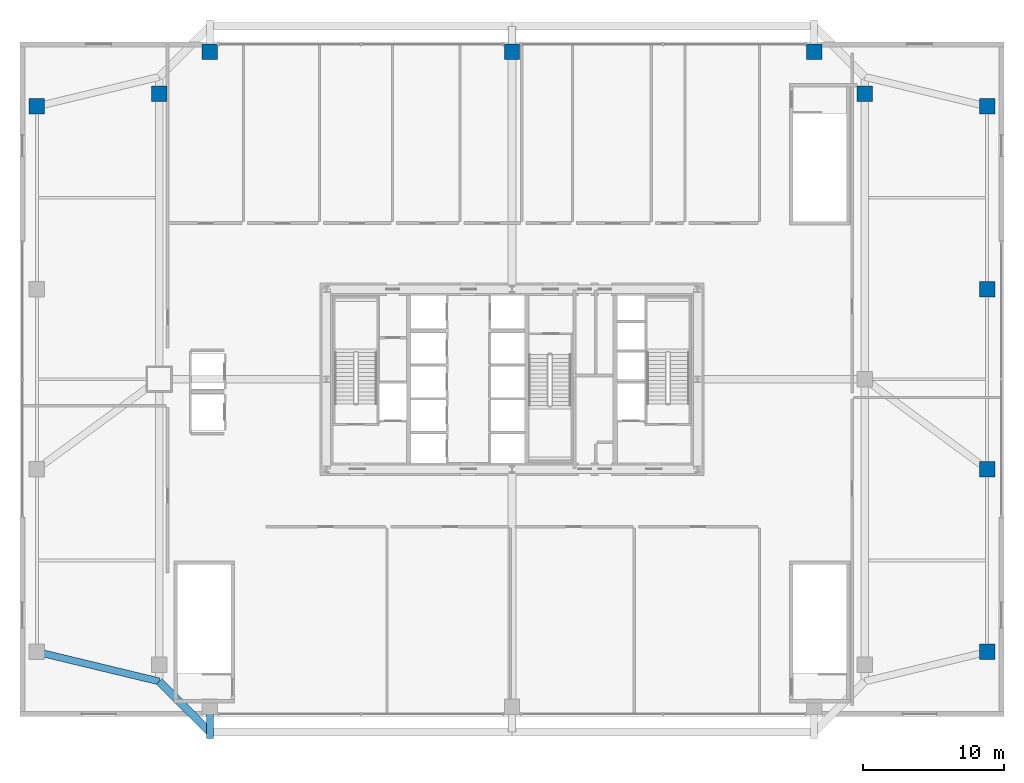
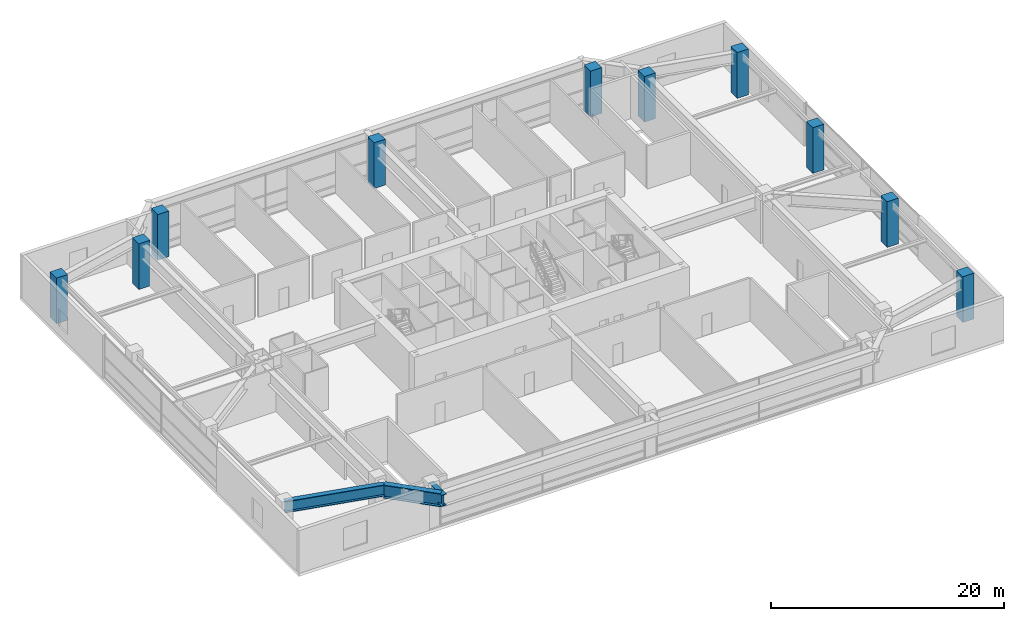
# One storey, part 3 of 34: 10 columns, 3 beams.
"""IFC4 building model written with IfcOpenShell, lengths in metres."""

from ifc_helpers import new_model, si_unit, direction, frame, origin, origin_2d, place, context, subcontext, project, spatial, rectangle, i_section, extrude, source, transform, mapped, material, material_profile, profile_set, type_object, element, save


model = new_model("IFC4")

# Units and contexts
model_context = context("Model", 3, precision=1e-05, world=origin(), true_north=direction((0.0, 1.0)))
body_context = subcontext(model_context, "Body", "Model", "MODEL_VIEW")
ifc_project = project(units=[si_unit("LENGTHUNIT", "METRE"), si_unit("AREAUNIT", "SQUARE_METRE"), si_unit("VOLUMEUNIT", "CUBIC_METRE"), si_unit("PLANEANGLEUNIT", "RADIAN"), si_unit("MASSUNIT", "GRAM", prefix="KILO"), si_unit("THERMODYNAMICTEMPERATUREUNIT", "KELVIN"), si_unit("POWERUNIT", "WATT")], contexts=[model_context])

# Site, building, storey
site_placement = place(None, origin())
site = spatial("IfcSite", under=ifc_project, at=site_placement, CompositionType="ELEMENT")
building_placement = place(site_placement, origin())
building = spatial("IfcBuilding", under=site, at=building_placement, Name="Yuzanri Waterfront Tower", CompositionType="ELEMENT")
storey_placement = place(building_placement, frame((0.0, 0.0, 25.800048828125)))
storey = spatial("IfcBuildingStorey", under=building, at=storey_placement, Name="L06", CompositionType="ELEMENT", Elevation=25.800048828125)

# Columns
ifc_material_1 = material(Name="Concrete C50", Category="concrete")
ifc_material_profile_1 = material_profile(ifc_material_1, rectangle(XDim=1.10009765625, YDim=1.10009765625, at=origin_2d()), Name="RC 1100x1100")
ifc_profile_set_1 = profile_set([ifc_material_profile_1], Name="Concrete C50")
column_type = type_object("IfcColumnType", Name="Podium RC Column C50 1100x1100", PredefinedType="COLUMN", material=ifc_profile_set_1)
shared_shape_1 = source(origin(), body_context, "Body", "SweptSolid", [
    extrude(rectangle(XDim=1.10009765625, YDim=1.10009765625, at=origin_2d()), origin(), (0.0, 0.0, 1.0), 4.800048828125),
])
for number, where, z_axis, x_axis, name in (
    (1, (3.199951171875, 45.199951171875, 0.0), (0.0, 0.0, 1.0), (1.0, 0.0, 0.0), "L06 Podium Column PW4"),
    (2, (70.800048828125, 6.39990234375, 0.0), (0.0, 0.0, 1.0), (1.0, 0.0, 0.0), "L06 Podium Column PE1"),
    (3, (70.800048828125, 19.39990234375, 0.0), (0.0, 0.0, 1.0), (1.0, 0.0, 0.0), "L06 Podium Column PE2"),
    (4, (70.800048828125, 32.199951171875, 0.0), (0.0, 0.0, 1.0), (1.0, 0.0, 0.0), "L06 Podium Column PE3"),
    (5, (70.800048828125, 45.199951171875, 0.0), (0.0, 0.0, 1.0), (1.0, 0.0, 0.0), "L06 Podium Column PE4"),
    (6, (11.89990234375, 46.10009765625, 0.0), (0.0, 0.0, 1.0), (1.0, 0.0, 0.0), "L06 Podium Column PTW3"),
    (7, (62.10009765625, 46.10009765625, 0.0), (0.0, 0.0, 1.0), (1.0, 0.0, 0.0), "L06 Podium Column PTE3"),
    (8, (15.5, 49.10009765625, 0.0), (0.0, 0.0, 1.0), (1.0, 0.0, 0.0), "L06 Podium Column PTN1"),
    (9, (37.0, 49.10009765625, 0.0), (0.0, 0.0, 1.0), (1.0, 0.0, 0.0), "L06 Podium Column PTN2"),
    (10, (58.5, 49.10009765625, 0.0), (0.0, 0.0, 1.0), (1.0, 0.0, 0.0), "L06 Podium Column PTN3"),
):
    element("IfcColumn", number, at=place(storey_placement, frame(where, z_axis=z_axis, x_axis=x_axis)), inside=storey, type_object=column_type, Name=name, PredefinedType="COLUMN", context=body_context, shape_type="MappedRepresentation", body=[
        mapped(shared_shape_1, transform((0.0, 0.0, 0.0), scale=1.0)),
    ])

# Beams
ifc_material_2 = material(Name="Steel Q420GJC", Category="steel")
ifc_material_profile_2 = material_profile(ifc_material_2, i_section(OverallWidth=0.550048828125, OverallDepth=1.39990234375, WebThickness=0.030029296875, FlangeThickness=0.054931640625, at=origin_2d()), Name="PG 1400x550x30x55")
ifc_profile_set_2 = profile_set([ifc_material_profile_2], Name="Steel Q420GJC")
beam_type_1 = type_object("IfcBeamType", Name="Tower Base Transfer Girder Q420GJC PG 1400x550", PredefinedType="USERDEFINED", material=ifc_profile_set_2)
shared_shape_2 = source(origin(), body_context, "Body", "SweptSolid", [
    extrude(i_section(OverallWidth=0.550048828125, OverallDepth=1.39990234375, WebThickness=0.030029296875, FlangeThickness=0.054931640625, at=origin_2d()), origin(), (0.0, 0.0, 1.0), 5.09130859375),
])
beam_1_placement = place(storey_placement, frame((11.89990234375, 4.300048828125, 3.800048828125), z_axis=(0.707106781187, -0.707106781187, 0.0), x_axis=(0.707106781187, 0.707106781187, 0.0)))
element("IfcBeam", 11, at=beam_1_placement, inside=storey, type_object=beam_type_1, Name="L06 Tower Base Ring W1-S1", ObjectType="GIRDER", PredefinedType="USERDEFINED", context=body_context, shape_type="MappedRepresentation", body=[
    mapped(shared_shape_2, transform((0.0, 0.0, 0.0), scale=1.0)),
])
ifc_material_3 = material(Name="Steel Q420GJC", Category="steel")
ifc_material_profile_3 = material_profile(ifc_material_3, i_section(OverallWidth=0.5, OverallDepth=1.199951171875, WebThickness=0.028076171875, FlangeThickness=0.050048828125, at=origin_2d()), Name="PG 1200x500x28x50")
ifc_profile_set_3 = profile_set([ifc_material_profile_3], Name="Steel Q420GJC")
beam_type_2 = type_object("IfcBeamType", Name="Setback Transfer Girder Q420GJC PG 1200x500", PredefinedType="USERDEFINED", material=ifc_profile_set_3)
shared_shape_3 = source(origin(), body_context, "Body", "SweptSolid", [
    extrude(i_section(OverallWidth=0.5, OverallDepth=1.199951171875, WebThickness=0.028076171875, FlangeThickness=0.050048828125, at=origin_2d()), origin(), (0.0, 0.0, 1.0), 2.25),
])
beam_2_placement = place(storey_placement, frame((15.5, 0.25, 3.89990234375), z_axis=(0.0, 1.0, 0.0), x_axis=(-1.0, 0.0, 0.0)))
element("IfcBeam", 12, at=beam_2_placement, inside=storey, type_object=beam_type_2, Name="L06 Tower Base Tie S1", ObjectType="GIRDER", PredefinedType="USERDEFINED", context=body_context, shape_type="MappedRepresentation", body=[
    mapped(shared_shape_3, transform((0.0, 0.0, 0.0), scale=1.0)),
])
shared_shape_4 = source(origin(), body_context, "Body", "SweptSolid", [
    extrude(i_section(OverallWidth=0.5, OverallDepth=1.199951171875, WebThickness=0.028076171875, FlangeThickness=0.050048828125, at=origin_2d()), origin(), (0.0, 0.0, 1.0), 8.94970703125),
])
beam_3_placement = place(storey_placement, frame((11.89990234375, 4.300048828125, 3.89990234375), z_axis=(-0.972085641327, 0.23462631124, 0.0), x_axis=(-0.23462631124, -0.972085641327, 0.0)))
element("IfcBeam", 13, at=beam_3_placement, inside=storey, type_object=beam_type_2, Name="L06 Tower Base Tie W1", ObjectType="GIRDER", PredefinedType="USERDEFINED", context=body_context, shape_type="MappedRepresentation", body=[
    mapped(shared_shape_4, transform((0.0, 0.0, 0.0), scale=1.0)),
])

save(model, "model.ifc")
